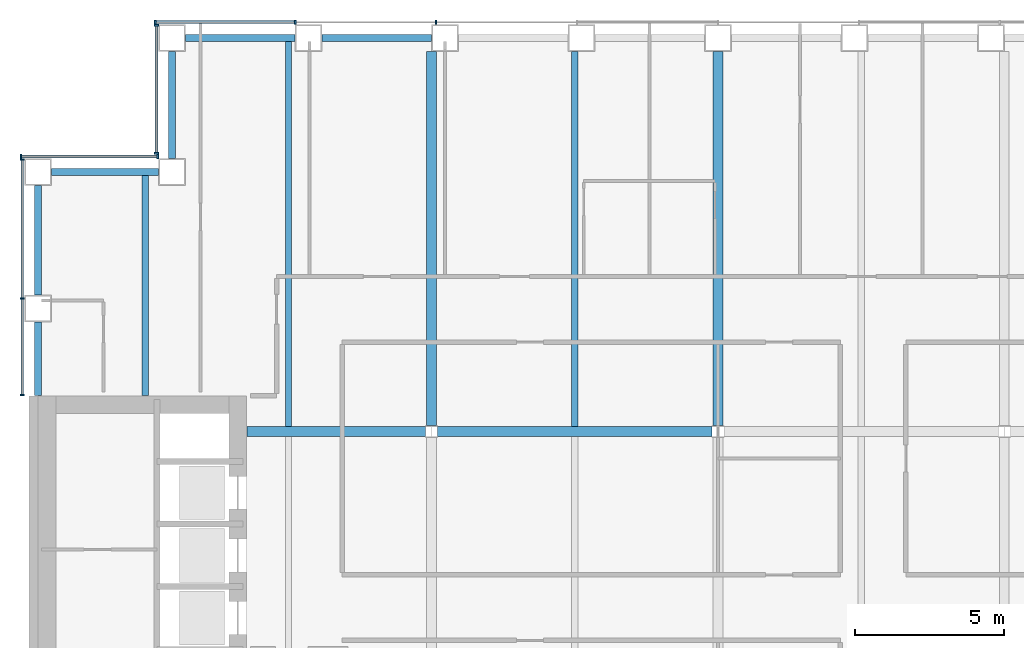
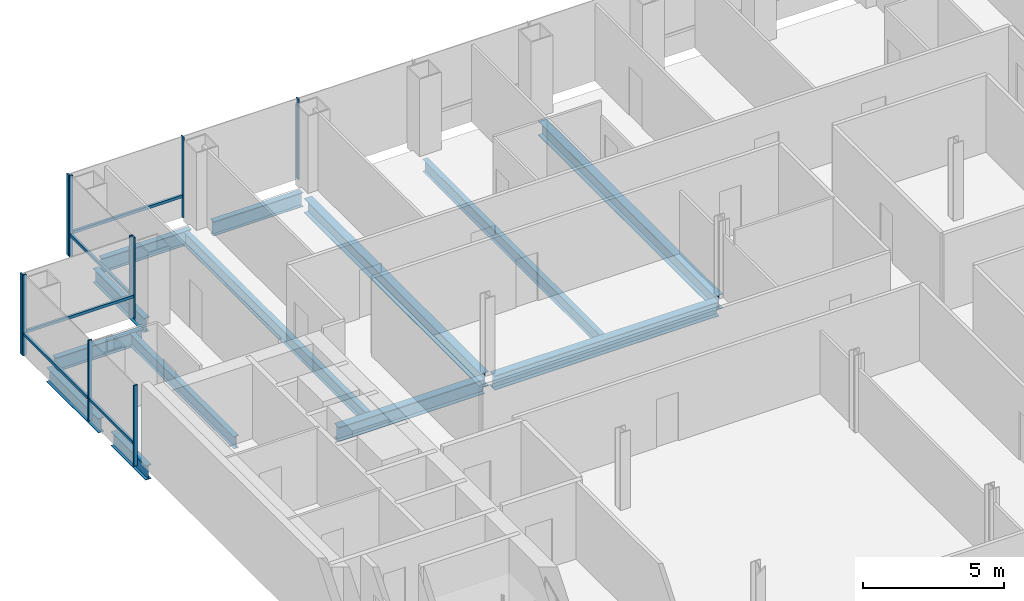
# One storey, part 6 of 16: 15 members, 13 beams, 4 elements without a shape of their own.
"""IFC4 building model written with IfcOpenShell, lengths in metres."""

from ifc_helpers import new_model, si_unit, direction, frame, origin, origin_2d, place, context, subcontext, project, spatial, rectangle, i_section, extrude, material, material_profile, profile_set, type_object, element, aggregate, save


model = new_model("IFC4")

# Units and contexts
model_context = context("Model", 3, precision=1e-05, world=origin(), true_north=direction((0.0, 1.0)))
body_context = subcontext(model_context, "Body", "Model", "MODEL_VIEW")
ifc_project = project(units=[si_unit("LENGTHUNIT", "METRE"), si_unit("AREAUNIT", "SQUARE_METRE"), si_unit("VOLUMEUNIT", "CUBIC_METRE"), si_unit("PLANEANGLEUNIT", "RADIAN"), si_unit("MASSUNIT", "GRAM", prefix="KILO")], contexts=[model_context])

# Site, building, storey
site_placement = place(None, origin())
site = spatial("IfcSite", under=ifc_project, at=site_placement, CompositionType="ELEMENT")
building_placement = place(site_placement, origin())
building = spatial("IfcBuilding", under=site, at=building_placement, Name="Cobrizo Arcos Hotel Tower", CompositionType="ELEMENT")
storey_placement = place(building_placement, frame((0.0, 0.0, 113.5)))
storey = spatial("IfcBuildingStorey", under=building, at=storey_placement, Name="L28", CompositionType="ELEMENT", Elevation=113.5)

# Curtain wall, members
ifc_material_1 = material(Name="Aluminium 6063-T6 anodised bronze", Category="aluminium")
curtain_wall_type = type_object("IfcCurtainWallType", Name="CW-A guest facade", PredefinedType="NOTDEFINED", material=ifc_material_1)
curtain_wall_1_placement = place(storey_placement, origin())
curtain_wall_1 = element("IfcCurtainWall", 1, at=curtain_wall_1_placement, inside=storey, type_object=curtain_wall_type, Name="CW-A L28 N face", PredefinedType="NOTDEFINED")
ifc_material_profile_1 = material_profile(ifc_material_1, rectangle(XDim=0.14990234375, YDim=0.06005859375, at=origin_2d()), Name="CW-A mullion 150x60")
ifc_profile_set_1 = profile_set([ifc_material_profile_1], Name="Aluminium 6063-T6 anodised bronze")
member_type_1 = type_object("IfcMemberType", Name="CW-A mullion 150x60", PredefinedType="MULLION", material=ifc_profile_set_1)
member_1_placement = place(storey_placement, frame((-9.449951171875, 23.324951171875, 0.0), z_axis=(0.0, 0.0, 1.0), x_axis=(0.0, 1.0, 0.0)))
member_1 = element("IfcMember", 2, at=member_1_placement, type_object=member_type_1, Name="CW-A mullion 7", PredefinedType="MULLION", context=body_context, shape_type="SweptSolid", body=[
    extrude(rectangle(XDim=0.14990234375, YDim=0.06005859375, at=origin_2d()), origin(), (0.0, 0.0, 1.0), 3.5),
])
member_2_placement = place(storey_placement, frame((-14.175048828125, 23.324951171875, 0.0), z_axis=(0.0, 0.0, 1.0), x_axis=(0.0, 1.0, 0.0)))
member_2 = element("IfcMember", 3, at=member_2_placement, type_object=member_type_1, Name="CW-A mullion 8", PredefinedType="MULLION", context=body_context, shape_type="SweptSolid", body=[
    extrude(rectangle(XDim=0.14990234375, YDim=0.06005859375, at=origin_2d()), origin(), (0.0, 0.0, 1.0), 3.5),
])
member_3_placement = place(storey_placement, frame((-18.8701171875, 23.324951171875, 0.0), z_axis=(0.0, 0.0, 1.0), x_axis=(0.0, 1.0, 0.0)))
member_3 = element("IfcMember", 4, at=member_3_placement, type_object=member_type_1, Name="CW-A mullion 9", PredefinedType="MULLION", context=body_context, shape_type="SweptSolid", body=[
    extrude(rectangle(XDim=0.14990234375, YDim=0.06005859375, at=origin_2d()), origin(), (0.0, 0.0, 1.0), 3.5),
])

curtain_wall_2_placement = place(storey_placement, origin())
curtain_wall_2 = element("IfcCurtainWall", 5, at=curtain_wall_2_placement, inside=storey, type_object=curtain_wall_type, Name="CW-A L28 W face", PredefinedType="NOTDEFINED")
member_4_placement = place(storey_placement, frame((-18.824951171875, 23.219970703125, 0.0), z_axis=(0.0, 0.0, 1.0), x_axis=(-1.0, 0.0, 0.0)))
member_4 = element("IfcMember", 6, at=member_4_placement, type_object=member_type_1, Name="CW-A mullion 1", PredefinedType="MULLION", context=body_context, shape_type="SweptSolid", body=[
    extrude(rectangle(XDim=0.14990234375, YDim=0.06005859375, at=origin_2d()), origin(), (0.0, 0.0, 1.0), 3.5),
])
member_5_placement = place(storey_placement, frame((-18.824951171875, 18.929931640625, 0.0), z_axis=(0.0, 0.0, 1.0), x_axis=(-1.0, 0.0, 0.0)))
member_5 = element("IfcMember", 7, at=member_5_placement, type_object=member_type_1, Name="CW-A mullion 2", PredefinedType="MULLION", context=body_context, shape_type="SweptSolid", body=[
    extrude(rectangle(XDim=0.14990234375, YDim=0.06005859375, at=origin_2d()), origin(), (0.0, 0.0, 1.0), 3.5),
])

curtain_wall_3_placement = place(storey_placement, origin())
curtain_wall_3 = element("IfcCurtainWall", 8, at=curtain_wall_3_placement, inside=storey, type_object=curtain_wall_type, Name="CW-A L28 N face", PredefinedType="NOTDEFINED")
member_6_placement = place(storey_placement, frame((-18.780029296875, 18.824951171875, 0.0), z_axis=(0.0, 0.0, 1.0), x_axis=(0.0, 1.0, 0.0)))
member_6 = element("IfcMember", 9, at=member_6_placement, type_object=member_type_1, Name="CW-A mullion 1", PredefinedType="MULLION", context=body_context, shape_type="SweptSolid", body=[
    extrude(rectangle(XDim=0.14990234375, YDim=0.06005859375, at=origin_2d()), origin(), (0.0, 0.0, 1.0), 3.5),
])
member_7_placement = place(storey_placement, frame((-23.3701171875, 18.824951171875, 0.0), z_axis=(0.0, 0.0, 1.0), x_axis=(0.0, 1.0, 0.0)))
member_7 = element("IfcMember", 10, at=member_7_placement, type_object=member_type_1, Name="CW-A mullion 2", PredefinedType="MULLION", context=body_context, shape_type="SweptSolid", body=[
    extrude(rectangle(XDim=0.14990234375, YDim=0.06005859375, at=origin_2d()), origin(), (0.0, 0.0, 1.0), 3.5),
])

curtain_wall_4_placement = place(storey_placement, origin())
curtain_wall_4 = element("IfcCurtainWall", 11, at=curtain_wall_4_placement, inside=storey, type_object=curtain_wall_type, Name="CW-A L28 W face", PredefinedType="NOTDEFINED")
member_8_placement = place(storey_placement, frame((-23.324951171875, 18.719970703125, 0.0), z_axis=(0.0, 0.0, 1.0), x_axis=(-1.0, 0.0, 0.0)))
member_8 = element("IfcMember", 12, at=member_8_placement, type_object=member_type_1, Name="CW-A mullion 1", PredefinedType="MULLION", context=body_context, shape_type="SweptSolid", body=[
    extrude(rectangle(XDim=0.14990234375, YDim=0.06005859375, at=origin_2d()), origin(), (0.0, 0.0, 1.0), 3.5),
])
member_9_placement = place(storey_placement, frame((-23.324951171875, 14.0625, 0.0), z_axis=(0.0, 0.0, 1.0), x_axis=(-1.0, 0.0, 0.0)))
member_9 = element("IfcMember", 13, at=member_9_placement, type_object=member_type_1, Name="CW-A mullion 2", PredefinedType="MULLION", context=body_context, shape_type="SweptSolid", body=[
    extrude(rectangle(XDim=0.14990234375, YDim=0.06005859375, at=origin_2d()), origin(), (0.0, 0.0, 1.0), 3.5),
])
member_10_placement = place(storey_placement, frame((-23.324951171875, 10.830078125, 0.0), z_axis=(0.0, 0.0, 1.0), x_axis=(-1.0, 0.0, 0.0)))
member_10 = element("IfcMember", 14, at=member_10_placement, type_object=member_type_1, Name="CW-A mullion 3", PredefinedType="MULLION", context=body_context, shape_type="SweptSolid", body=[
    extrude(rectangle(XDim=0.14990234375, YDim=0.06005859375, at=origin_2d()), origin(), (0.0, 0.0, 1.0), 3.5),
])

# Member
ifc_material_profile_2 = material_profile(ifc_material_1, rectangle(XDim=0.10009765625, YDim=0.1201171875, at=origin_2d()), Name="CW-A transom 120x100")
ifc_profile_set_2 = profile_set([ifc_material_profile_2], Name="Aluminium 6063-T6 anodised bronze")
member_type_2 = type_object("IfcMemberType", Name="CW-A transom 120x100", PredefinedType="USERDEFINED", material=ifc_profile_set_2)
member_11_placement = place(storey_placement, frame((-14.205078125, 23.324951171875, 0.929931640625), z_axis=(-1.0, 0.0, 0.0), x_axis=(0.0, -1.0, 0.0)))
member_11 = element("IfcMember", 15, at=member_11_placement, type_object=member_type_2, Name="CW-A transom 1098", ObjectType="TRANSOM", PredefinedType="USERDEFINED", context=body_context, shape_type="SweptSolid", body=[
    extrude(rectangle(XDim=0.10009765625, YDim=0.1201171875, at=origin_2d()), origin(), (0.0, 0.0, 1.0), 4.635009765625),
])

aggregate(curtain_wall_1, [member_1, member_2, member_3, member_11])

member_12_placement = place(storey_placement, frame((-18.824951171875, 23.18994140625, 0.929931640625), z_axis=(0.0, -1.0, 0.0), x_axis=(1.0, 0.0, 0.0)))
member_12 = element("IfcMember", 16, at=member_12_placement, type_object=member_type_2, Name="CW-A transom 1099", ObjectType="TRANSOM", PredefinedType="USERDEFINED", context=body_context, shape_type="SweptSolid", body=[
    extrude(rectangle(XDim=0.10009765625, YDim=0.1201171875, at=origin_2d()), origin(), (0.0, 0.0, 1.0), 4.22998046875),
])

aggregate(curtain_wall_2, [member_4, member_5, member_12])

member_13_placement = place(storey_placement, frame((-18.81005859375, 18.824951171875, 0.929931640625), z_axis=(-1.0, 0.0, 0.0), x_axis=(0.0, -1.0, 0.0)))
member_13 = element("IfcMember", 17, at=member_13_placement, type_object=member_type_2, Name="CW-A transom 1100", ObjectType="TRANSOM", PredefinedType="USERDEFINED", context=body_context, shape_type="SweptSolid", body=[
    extrude(rectangle(XDim=0.10009765625, YDim=0.1201171875, at=origin_2d()), origin(), (0.0, 0.0, 1.0), 4.530029296875),
])

aggregate(curtain_wall_3, [member_6, member_7, member_13])

member_14_placement = place(storey_placement, frame((-23.324951171875, 18.68994140625, 0.929931640625), z_axis=(0.0, -1.0, 0.0), x_axis=(1.0, 0.0, 0.0)))
member_14 = element("IfcMember", 18, at=member_14_placement, type_object=member_type_2, Name="CW-A transom 1101", ObjectType="TRANSOM", PredefinedType="USERDEFINED", context=body_context, shape_type="SweptSolid", body=[
    extrude(rectangle(XDim=0.10009765625, YDim=0.1201171875, at=origin_2d()), origin(), (0.0, 0.0, 1.0), 4.597412109375),
])

member_15_placement = place(storey_placement, frame((-23.324951171875, 14.032470703125, 0.929931640625), z_axis=(0.0, -1.0, 0.0), x_axis=(1.0, 0.0, 0.0)))
member_15 = element("IfcMember", 19, at=member_15_placement, type_object=member_type_2, Name="CW-A transom 1102", ObjectType="TRANSOM", PredefinedType="USERDEFINED", context=body_context, shape_type="SweptSolid", body=[
    extrude(rectangle(XDim=0.10009765625, YDim=0.1201171875, at=origin_2d()), origin(), (0.0, 0.0, 1.0), 3.17236328125),
])

aggregate(curtain_wall_4, [member_8, member_9, member_10, member_14, member_15])

# Beams
ifc_material_2 = material(Name="Steel ASTM A992 Grade 50", Category="steel")
ifc_material_profile_3 = material_profile(ifc_material_2, i_section(OverallWidth=0.209228515625, OverallDepth=0.533447265625, WebThickness=0.01025390625, FlangeThickness=0.015625, at=origin_2d()), Name="W21X62")
ifc_profile_set_3 = profile_set([ifc_material_profile_3], Name="Steel ASTM A992 Grade 50")
beam_type_1 = type_object("IfcBeamType", Name="W21X62 joist", PredefinedType="JOIST", material=ifc_profile_set_3)
beam_1_placement = place(storey_placement, frame((-19.199951171875, 10.81005859375, -0.416748046875), z_axis=(0.0, 1.0, 0.0), x_axis=(-1.0, 0.0, 0.0)))
element("IfcBeam", 20, at=beam_1_placement, inside=storey, type_object=beam_type_1, Name="Floor joist J1, L28, no. 002", PredefinedType="JOIST", context=body_context, shape_type="SweptSolid", body=[
    extrude(i_section(OverallWidth=0.209228515625, OverallDepth=0.533447265625, WebThickness=0.01025390625, FlangeThickness=0.015625, at=origin_2d()), origin(), (0.0, 0.0, 1.0), 7.39990234375),
])
beam_2_placement = place(storey_placement, frame((-14.39990234375, 9.763916015625, -0.416748046875), z_axis=(0.0, 1.0, 0.0), x_axis=(-1.0, 0.0, 0.0)))
element("IfcBeam", 21, at=beam_2_placement, inside=storey, type_object=beam_type_1, Name="Floor joist J1, L28, no. 006", PredefinedType="JOIST", context=body_context, shape_type="SweptSolid", body=[
    extrude(i_section(OverallWidth=0.209228515625, OverallDepth=0.533447265625, WebThickness=0.01025390625, FlangeThickness=0.015625, at=origin_2d()), origin(), (0.0, 0.0, 1.0), 12.946044921875),
])
beam_3_placement = place(storey_placement, frame((-4.800048828125, 9.763916015625, -0.416748046875), z_axis=(0.0, 1.0, 0.0), x_axis=(-1.0, 0.0, 0.0)))
element("IfcBeam", 22, at=beam_3_placement, inside=storey, type_object=beam_type_1, Name="Floor joist J1, L28, no. 010", PredefinedType="JOIST", context=body_context, shape_type="SweptSolid", body=[
    extrude(i_section(OverallWidth=0.209228515625, OverallDepth=0.533447265625, WebThickness=0.01025390625, FlangeThickness=0.015625, at=origin_2d()), origin(), (0.0, 0.0, 1.0), 12.586181640625),
])
ifc_material_profile_4 = material_profile(ifc_material_2, i_section(OverallWidth=0.32763671875, OverallDepth=0.622314453125, WebThickness=0.015380859375, FlangeThickness=0.0244140625, at=origin_2d()), Name="W24X131")
ifc_profile_set_4 = profile_set([ifc_material_profile_4], Name="Steel ASTM A992 Grade 50")
beam_type_2 = type_object("IfcBeamType", Name="W24X131 girder", PredefinedType="BEAM", material=ifc_profile_set_4)
beam_4_placement = place(storey_placement, frame((-15.7900390625, 9.60009765625, -0.461181640625), z_axis=(1.0, 0.0, 0.0), x_axis=(0.0, 1.0, 0.0)))
element("IfcBeam", 23, at=beam_4_placement, inside=storey, type_object=beam_type_2, Name="Floor girder G1, L28, no. 009", PredefinedType="BEAM", context=body_context, shape_type="SweptSolid", body=[
    extrude(i_section(OverallWidth=0.32763671875, OverallDepth=0.622314453125, WebThickness=0.015380859375, FlangeThickness=0.0244140625, at=origin_2d()), origin(), (0.0, 0.0, 1.0), 5.99072265625),
])
beam_5_placement = place(storey_placement, frame((-9.400634765625, 9.60009765625, -0.461181640625), z_axis=(1.0, 0.0, 0.0), x_axis=(0.0, 1.0, 0.0)))
element("IfcBeam", 24, at=beam_5_placement, inside=storey, type_object=beam_type_2, Name="Floor girder G1, L28, no. 010", PredefinedType="BEAM", context=body_context, shape_type="SweptSolid", body=[
    extrude(i_section(OverallWidth=0.32763671875, OverallDepth=0.622314453125, WebThickness=0.015380859375, FlangeThickness=0.0244140625, at=origin_2d()), origin(), (0.0, 0.0, 1.0), 9.201171875),
])
for number, where, z_axis, x_axis, name in (
    (25, (-9.60009765625, 9.79931640625, -0.461181640625), (0.0, 1.0, 0.0), (-1.0, 0.0, 0.0), "Floor girder G1, L28, no. 016"),
    (26, (0.0, 9.79931640625, -0.461181640625), (0.0, 1.0, 0.0), (-1.0, 0.0, 0.0), "Floor girder G1, L28, no. 020"),
):
    element("IfcBeam", number, at=place(storey_placement, frame(where, z_axis=z_axis, x_axis=x_axis)), inside=storey, type_object=beam_type_2, Name=name, PredefinedType="BEAM", context=body_context, shape_type="SweptSolid", body=[
        extrude(i_section(OverallWidth=0.32763671875, OverallDepth=0.622314453125, WebThickness=0.015380859375, FlangeThickness=0.0244140625, at=origin_2d()), origin(), (0.0, 0.0, 1.0), 12.55078125),
    ])
ifc_material_profile_5 = material_profile(ifc_material_2, i_section(OverallWidth=0.23046875, OverallDepth=0.6171875, WebThickness=0.01318359375, FlangeThickness=0.022216796875, at=origin_2d()), Name="W24X94")
ifc_profile_set_5 = profile_set([ifc_material_profile_5], Name="Steel ASTM A992 Grade 50")
beam_type_3 = type_object("IfcBeamType", Name="W24X94 spandrel", PredefinedType="SPANDREL", material=ifc_profile_set_5)
beam_6_placement = place(storey_placement, frame((-9.60009765625, 22.800048828125, -0.45849609375), z_axis=(-1.0, 0.0, 0.0), x_axis=(0.0, -1.0, 0.0)))
element("IfcBeam", 27, at=beam_6_placement, inside=storey, type_object=beam_type_3, Name="Spandrel beam W24X94, L28, no. 023", PredefinedType="SPANDREL", context=body_context, shape_type="SweptSolid", body=[
    extrude(i_section(OverallWidth=0.23046875, OverallDepth=0.6171875, WebThickness=0.01318359375, FlangeThickness=0.022216796875, at=origin_2d()), origin(), (0.0, 0.0, 1.0), 3.6748046875),
])
beam_7_placement = place(storey_placement, frame((-14.175048828125, 22.800048828125, -0.45849609375), z_axis=(-1.0, 0.0, 0.0), x_axis=(0.0, -1.0, 0.0)))
element("IfcBeam", 28, at=beam_7_placement, inside=storey, type_object=beam_type_3, Name="Spandrel beam W24X94, L28, no. 024", PredefinedType="SPANDREL", context=body_context, shape_type="SweptSolid", body=[
    extrude(i_section(OverallWidth=0.23046875, OverallDepth=0.6171875, WebThickness=0.01318359375, FlangeThickness=0.022216796875, at=origin_2d()), origin(), (0.0, 0.0, 1.0), 3.675048828125),
])
for number, where, z_axis, x_axis, name in (
    (29, (-18.300048828125, 22.35009765625, -0.45849609375), (0.0, -1.0, 0.0), (1.0, 0.0, 0.0), "Spandrel beam W24X94, L28, no. 025"),
    (30, (-18.75, 18.300048828125, -0.45849609375), (-1.0, 0.0, 0.0), (0.0, -1.0, 0.0), "Spandrel beam W24X94, L28, no. 026"),
):
    element("IfcBeam", number, at=place(storey_placement, frame(where, z_axis=z_axis, x_axis=x_axis)), inside=storey, type_object=beam_type_3, Name=name, PredefinedType="SPANDREL", context=body_context, shape_type="SweptSolid", body=[
        extrude(i_section(OverallWidth=0.23046875, OverallDepth=0.6171875, WebThickness=0.01318359375, FlangeThickness=0.022216796875, at=origin_2d()), origin(), (0.0, 0.0, 1.0), 3.60009765625),
    ])
beam_8_placement = place(storey_placement, frame((-22.800048828125, 17.85009765625, -0.45849609375), z_axis=(0.0, -1.0, 0.0), x_axis=(1.0, 0.0, 0.0)))
element("IfcBeam", 31, at=beam_8_placement, inside=storey, type_object=beam_type_3, Name="Spandrel beam W24X94, L28, no. 027", PredefinedType="SPANDREL", context=body_context, shape_type="SweptSolid", body=[
    extrude(i_section(OverallWidth=0.23046875, OverallDepth=0.6171875, WebThickness=0.01318359375, FlangeThickness=0.022216796875, at=origin_2d()), origin(), (0.0, 0.0, 1.0), 3.675048828125),
])
beam_9_placement = place(storey_placement, frame((-22.800048828125, 13.27490234375, -0.45849609375), z_axis=(0.0, -1.0, 0.0), x_axis=(1.0, 0.0, 0.0)))
element("IfcBeam", 32, at=beam_9_placement, inside=storey, type_object=beam_type_3, Name="Spandrel beam W24X94, L28, no. 028", PredefinedType="SPANDREL", context=body_context, shape_type="SweptSolid", body=[
    extrude(i_section(OverallWidth=0.23046875, OverallDepth=0.6171875, WebThickness=0.01318359375, FlangeThickness=0.022216796875, at=origin_2d()), origin(), (0.0, 0.0, 1.0), 2.46484375),
])

save(model, "model.ifc")
